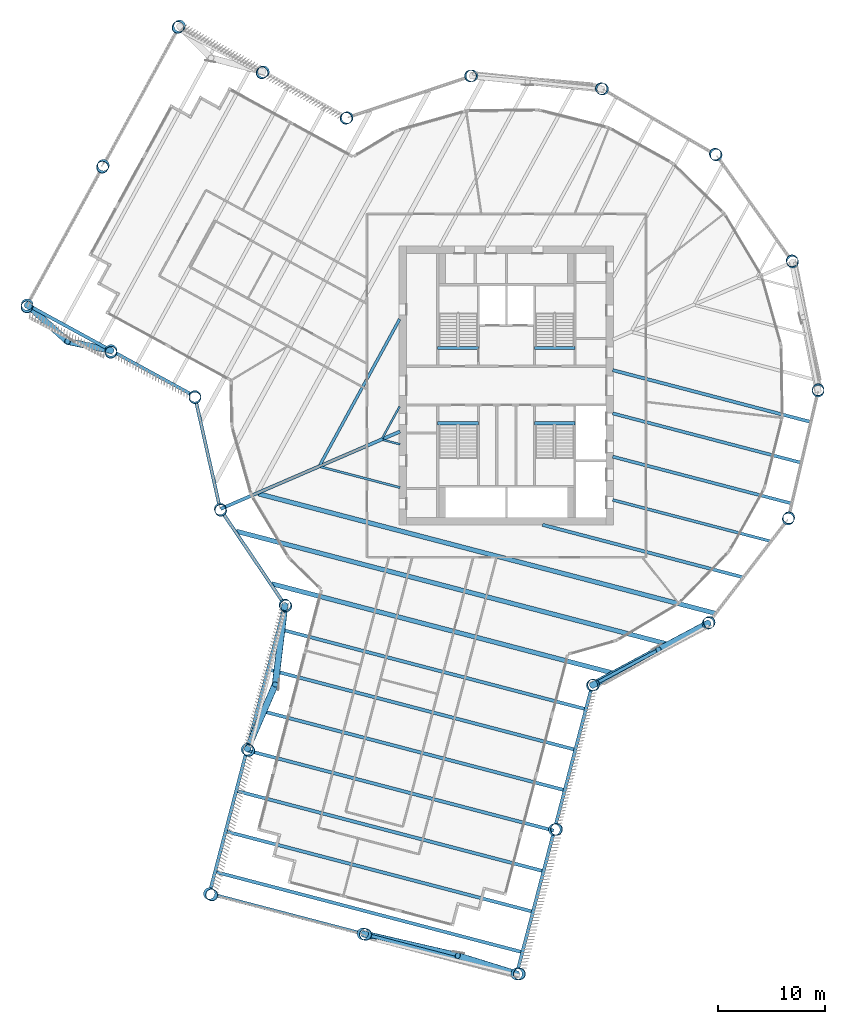
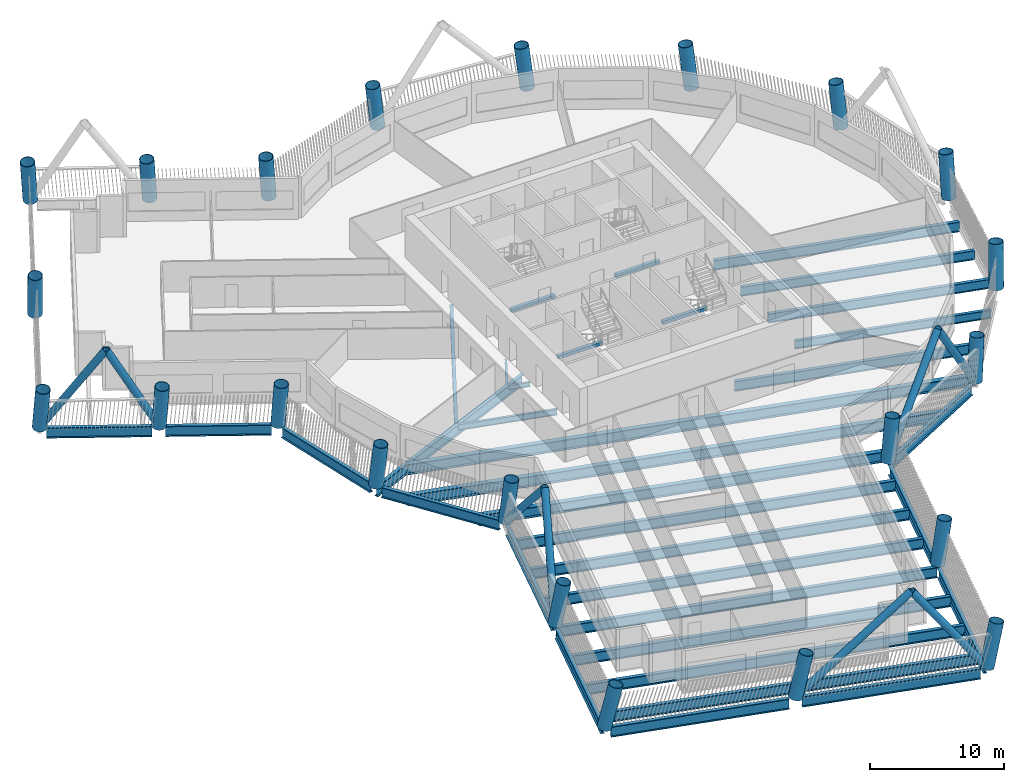
# One storey, part 1 of 24: 35 beams, 22 columns, 8 members.
"""IFC4 building model written with IfcOpenShell, lengths in metres."""

from ifc_helpers import new_model, si_unit, direction, frame, origin, origin_2d, place, context, subcontext, project, spatial, rectangle, hollow_circle, i_section, extrude, material, material_profile, profile_set, type_object, element, save


model = new_model("IFC4")

# Units and contexts
model_context = context("Model", 3, precision=1e-05, world=origin(), true_north=direction((0.0, 1.0)))
body_context = subcontext(model_context, "Body", "Model", "MODEL_VIEW")
ifc_project = project(units=[si_unit("LENGTHUNIT", "METRE"), si_unit("AREAUNIT", "SQUARE_METRE"), si_unit("VOLUMEUNIT", "CUBIC_METRE"), si_unit("PLANEANGLEUNIT", "RADIAN"), si_unit("MASSUNIT", "GRAM", prefix="KILO")], contexts=[model_context])

# Site, building, storey
site_placement = place(None, origin())
site = spatial("IfcSite", under=ifc_project, at=site_placement, CompositionType="ELEMENT")
building_placement = place(site_placement, origin())
building = spatial("IfcBuilding", under=site, at=building_placement, Name="Tarsis Ring Headquarters", CompositionType="ELEMENT")
storey_placement = place(building_placement, frame((0.0, 0.0, 163.199951171875)))
storey = spatial("IfcBuildingStorey", under=building, at=storey_placement, Name="L37", CompositionType="ELEMENT", Elevation=163.199951171875)

# Columns
ifc_material_1 = material(Name="Structural steel S355", Category="steel")
ifc_material_profile_1 = material_profile(ifc_material_1, hollow_circle(Radius=0.558837890625, WallThickness=0.044921875, at=origin_2d()), Name="CHS 1118x45")
ifc_profile_set_1 = profile_set([ifc_material_profile_1], Name="Structural steel S355")
column_type = type_object("IfcColumnType", Name="XC Exo column CHS 1118x45", PredefinedType="COLUMN", material=ifc_profile_set_1)
for number, where, z_axis, x_axis, name in (
    (1, (-26.67138671875, -11.5087890625, 0.0009765625), (0.046843356961, -0.106315135521, 0.993228469119), (0.915109628018, 0.403205119893, 0.0), "Exo column XC4 F1"),
    (2, (-20.64404296875, -20.436279296875, 0.0009765625), (0.082426503128, -0.081928833675, 0.993223810525), (0.704962423594, 0.709244655476, 0.0), "Exo column XC4 AK"),
):
    element("IfcColumn", number, at=place(storey_placement, frame(where, z_axis=z_axis, x_axis=x_axis)), inside=storey, type_object=column_type, Name=name, PredefinedType="COLUMN", context=body_context, shape_type="SweptSolid", body=[
        extrude(hollow_circle(Radius=0.558837890625, WallThickness=0.044921875, at=origin_2d()), origin(), (0.0, 0.0, 1.0), 3.924560546875),
    ])
column_1_placement = place(storey_placement, frame((-24.162353515625, -33.885986328125, 0.00146484375), z_axis=(0.135366336115, -0.094898535953, 0.986240448836), x_axis=(0.574039090599, 0.818827895509, 0.0)))
element("IfcColumn", 3, at=column_1_placement, inside=storey, type_object=column_type, Name="Exo column XC4 AI1", PredefinedType="COLUMN", context=body_context, shape_type="SweptSolid", body=[
    extrude(hollow_circle(Radius=0.558837890625, WallThickness=0.044921875, at=origin_2d()), origin(), (0.0, 0.0, 1.0), 3.95166015625),
])
column_2_placement = place(storey_placement, frame((-27.6806640625, -47.335693359375, 0.001708984375), z_axis=(0.187022752888, -0.107368312502, 0.976470447772), x_axis=(0.497879372542, 0.867246291659, 0.0)))
element("IfcColumn", 4, at=column_2_placement, inside=storey, type_object=column_type, Name="Exo column XC4 AT1", PredefinedType="COLUMN", context=body_context, shape_type="SweptSolid", body=[
    extrude(hollow_circle(Radius=0.558837890625, WallThickness=0.044921875, at=origin_2d()), origin(), (0.0, 0.0, 1.0), 3.99072265625),
])
column_3_placement = place(storey_placement, frame((-13.362548828125, -51.0810546875, 0.001708984375), z_axis=(0.201678129852, -0.051108951776, 0.978117481179), x_axis=(0.245653116394, 0.969357801024, 0.0)))
element("IfcColumn", 5, at=column_3_placement, inside=storey, type_object=column_type, Name="Exo column XC4 AT2", PredefinedType="COLUMN", context=body_context, shape_type="SweptSolid", body=[
    extrude(hollow_circle(Radius=0.558837890625, WallThickness=0.044921875, at=origin_2d()), origin(), (0.0, 0.0, 1.0), 3.98388671875),
])
column_4_placement = place(storey_placement, frame((0.955810546875, -54.82666015625, 0.001708984375), z_axis=(0.21559263093, 0.00544487632, 0.976468212903), x_axis=(-0.025247341068, 0.999681235079, 0.0)))
element("IfcColumn", 6, at=column_4_placement, inside=storey, type_object=column_type, Name="Exo column XC4 AT3", PredefinedType="COLUMN", context=body_context, shape_type="SweptSolid", body=[
    extrude(hollow_circle(Radius=0.558837890625, WallThickness=0.044921875, at=origin_2d()), origin(), (0.0, 0.0, 1.0), 3.99072265625),
])
column_5_placement = place(storey_placement, frame((4.47412109375, -41.376953125, 0.00146484375), z_axis=(0.164218934902, 0.019029131659, 0.986240352839), x_axis=(-0.115106386855, 0.993353169676, 0.0)))
element("IfcColumn", 7, at=column_5_placement, inside=storey, type_object=column_type, Name="Exo column XC4 AO1", PredefinedType="COLUMN", context=body_context, shape_type="SweptSolid", body=[
    extrude(hollow_circle(Radius=0.558837890625, WallThickness=0.044921875, at=origin_2d()), origin(), (0.0, 0.0, 1.0), 3.95166015625),
])
for number, where, z_axis, x_axis, name in (
    (8, (7.992431640625, -27.927490234375, 0.0009765625), (0.111477743675, 0.032908329467, 0.993221905979), (-0.283122390481, 0.959083787793, 0.0), "Exo column XC4 AJ"),
    (9, (18.793212890625, -22.150146484375, 0.0009765625), (0.088025612862, 0.07583266578, 0.99322751587), (-0.652685385351, 0.757629056827, 0.0), "Exo column XC4 R1"),
    (10, (26.25244140625, -12.4345703125, 0.0009765625), (0.048958337482, 0.105381732777, 0.993225941862), (-0.906906699403, 0.421331506747, 0.0), "Exo column XC4 R2"),
    (11, (29.044189453125, -0.508056640625, 0.0009765625), (0.001119757062, 0.116205899537, 0.993224513923), (-0.999953577232, 0.009635526975, 0.0), "Exo column XC4 R3"),
    (12, (26.67138671875, 11.5087890625, 0.0009765625), (-0.046843356961, 0.106315135521, 0.993228469119), (-0.915109628018, -0.403205119893, 0.0), "Exo column XC4 R4"),
    (13, (19.556396484375, 21.479248046875, 0.0009765625), (-0.08653231362, 0.077574259586, 0.99322424102), (-0.667514315932, -0.744596963481, 0.0), "Exo column XC4 R5"),
    (14, (8.96435546875, 27.630615234375, 0.0009765625), (-0.110793915769, 0.035023567983, 0.993226086002), (-0.30141319934, -0.953493619938, 0.0), "Exo column XC4 R6"),
    (15, (-3.2216796875, 28.869384765625, 0.0009765625), (-0.115397060838, -0.013810322106, 0.993223435765), (0.118828615173, -0.992914779936, 0.0), "Exo column XC4 R7"),
    (16, (-14.8349609375, 24.974853515625, 0.0009765625), (-0.099409746542, -0.060155960517, 0.993226541483), (0.517720184374, -0.855550004787, 0.0), "Exo column XC4 BJ"),
):
    element("IfcColumn", number, at=place(storey_placement, frame(where, z_axis=z_axis, x_axis=x_axis)), inside=storey, type_object=column_type, Name=name, PredefinedType="COLUMN", context=body_context, shape_type="SweptSolid", body=[
        extrude(hollow_circle(Radius=0.558837890625, WallThickness=0.044921875, at=origin_2d()), origin(), (0.0, 0.0, 1.0), 3.924560546875),
    ])
column_6_placement = place(storey_placement, frame((-22.646484375, 29.244384765625, 0.001220703125), z_axis=(-0.115790672077, -0.091133268392, 0.989084044787), x_axis=(0.618471236594, -0.78580743793, 0.0)))
element("IfcColumn", 17, at=column_6_placement, inside=storey, type_object=column_type, Name="Exo column XC4 BO1", PredefinedType="COLUMN", context=body_context, shape_type="SweptSolid", body=[
    extrude(hollow_circle(Radius=0.558837890625, WallThickness=0.044921875, at=origin_2d()), origin(), (0.0, 0.0, 1.0), 3.940673828125),
])
column_7_placement = place(storey_placement, frame((-30.458251953125, 33.513916015625, 0.00146484375), z_axis=(-0.131822902051, -0.121715863278, 0.983772316708), x_axis=(0.678379959091, -0.73471125696, 0.0)))
element("IfcColumn", 18, at=column_7_placement, inside=storey, type_object=column_type, Name="Exo column XC4 BT3", PredefinedType="COLUMN", context=body_context, shape_type="SweptSolid", body=[
    extrude(hollow_circle(Radius=0.558837890625, WallThickness=0.044921875, at=origin_2d()), origin(), (0.0, 0.0, 1.0), 3.96142578125),
])
column_8_placement = place(storey_placement, frame((-37.556396484375, 20.527099609375, 0.00146484375), z_axis=(-0.080254865762, -0.149706191903, 0.985468017049), x_axis=(0.881344859198, -0.472473532766, 0.0)))
element("IfcColumn", 19, at=column_8_placement, inside=storey, type_object=column_type, Name="Exo column XC4 BT2", PredefinedType="COLUMN", context=body_context, shape_type="SweptSolid", body=[
    extrude(hollow_circle(Radius=0.558837890625, WallThickness=0.044921875, at=origin_2d()), origin(), (0.0, 0.0, 1.0), 3.95458984375),
])
column_9_placement = place(storey_placement, frame((-44.654541015625, 7.540283203125, 0.00146484375), z_axis=(-0.028472409752, -0.177120574949, 0.983777222654), x_axis=(0.987324604077, -0.158713976021, 0.0)))
element("IfcColumn", 20, at=column_9_placement, inside=storey, type_object=column_type, Name="Exo column XC4 BT1", PredefinedType="COLUMN", context=body_context, shape_type="SweptSolid", body=[
    extrude(hollow_circle(Radius=0.558837890625, WallThickness=0.044921875, at=origin_2d()), origin(), (0.0, 0.0, 1.0), 3.96142578125),
])
column_10_placement = place(storey_placement, frame((-36.843017578125, 3.270751953125, 0.001220703125), z_axis=(-0.011833157867, -0.146830283486, 0.989090918079), x_axis=(0.99676830173, -0.080330272418, 0.0)))
element("IfcColumn", 21, at=column_10_placement, inside=storey, type_object=column_type, Name="Exo column XC4 BI1", PredefinedType="COLUMN", context=body_context, shape_type="SweptSolid", body=[
    extrude(hollow_circle(Radius=0.558837890625, WallThickness=0.044921875, at=origin_2d()), origin(), (0.0, 0.0, 1.0), 3.940673828125),
])
column_11_placement = place(storey_placement, frame((-29.03125, -0.998779296875, 0.0009765625), z_axis=(0.004914504076, -0.116081830463, 0.993227494729), x_axis=(0.999105011262, 0.042298658033, 0.0)))
element("IfcColumn", 22, at=column_11_placement, inside=storey, type_object=column_type, Name="Exo column XC4 BK", PredefinedType="COLUMN", context=body_context, shape_type="SweptSolid", body=[
    extrude(hollow_circle(Radius=0.558837890625, WallThickness=0.044921875, at=origin_2d()), origin(), (0.0, 0.0, 1.0), 3.924560546875),
])

# Beams
ifc_material_profile_2 = material_profile(ifc_material_1, i_section(OverallWidth=0.177734375, OverallDepth=0.406494140625, WebThickness=0.0078125, FlangeThickness=0.0126953125, at=origin_2d()), Name="W16x40")
ifc_profile_set_2 = profile_set([ifc_material_profile_2], Name="Structural steel S355")
beam_type_1 = type_object("IfcBeamType", Name="FB Floor beam W16x40", PredefinedType="JOIST", material=ifc_profile_set_2)
beam_1_placement = place(storey_placement, frame((-11.48583984375, -5.057861328125, -0.363037109375), z_axis=(0.967469701772, -0.252986909056, 0.0), x_axis=(0.252986909056, 0.967469701772, 0.0)))
element("IfcBeam", 23, at=beam_1_placement, inside=storey, type_object=beam_type_1, Name="Floor beam FB1", PredefinedType="JOIST", context=body_context, shape_type="SweptSolid", body=[
    extrude(i_section(OverallWidth=0.177734375, OverallDepth=0.406494140625, WebThickness=0.0078125, FlangeThickness=0.0126953125, at=origin_2d()), origin(), (0.0, 0.0, 1.0), 1.6357421875),
])
beam_2_placement = place(storey_placement, frame((-9.9521484375, -1.94482421875, -0.363037109375), z_axis=(-0.479602084347, -0.877486091451, 0.0), x_axis=(0.877486091451, -0.479602084347, 0.0)))
element("IfcBeam", 24, at=beam_2_placement, inside=storey, type_object=beam_type_1, Name="Floor beam FB1", PredefinedType="JOIST", context=body_context, shape_type="SweptSolid", body=[
    extrude(i_section(OverallWidth=0.177734375, OverallDepth=0.406494140625, WebThickness=0.0078125, FlangeThickness=0.0126953125, at=origin_2d()), origin(), (0.0, 0.0, 1.0), 3.35205078125),
])
ifc_material_profile_3 = material_profile(ifc_material_1, i_section(OverallWidth=0.209228515625, OverallDepth=0.533447265625, WebThickness=0.01025390625, FlangeThickness=0.015625, at=origin_2d()), Name="W21x62")
ifc_profile_set_3 = profile_set([ifc_material_profile_3], Name="Structural steel S355")
beam_type_2 = type_object("IfcBeamType", Name="FB Floor beam W21x62", PredefinedType="JOIST", material=ifc_profile_set_3)
beam_3_placement = place(storey_placement, frame((-17.302001953125, -7.5673828125, -0.4267578125), z_axis=(0.967442790182, -0.253089801701, 0.0), x_axis=(0.253089801701, 0.967442790182, 0.0)))
element("IfcBeam", 25, at=beam_3_placement, inside=storey, type_object=beam_type_2, Name="Floor beam FB3", PredefinedType="JOIST", context=body_context, shape_type="SweptSolid", body=[
    extrude(i_section(OverallWidth=0.209228515625, OverallDepth=0.533447265625, WebThickness=0.01025390625, FlangeThickness=0.015625, at=origin_2d()), origin(), (0.0, 0.0, 1.0), 7.647705078125),
])
ifc_material_profile_4 = material_profile(ifc_material_1, i_section(OverallWidth=0.2666015625, OverallDepth=0.7568359375, WebThickness=0.013916015625, FlangeThickness=0.019287109375, at=origin_2d()), Name="W30x108")
ifc_profile_set_4 = profile_set([ifc_material_profile_4], Name="Structural steel S355")
beam_type_3 = type_object("IfcBeamType", Name="FB Floor beam W30x108", PredefinedType="JOIST", material=ifc_profile_set_4)
beam_4_placement = place(storey_placement, frame((9.9033203125, -10.653076171875, -0.538330078125), z_axis=(0.967440972886, -0.253096748263, 0.0), x_axis=(0.253096748263, 0.967440972886, 0.0)))
element("IfcBeam", 26, at=beam_4_placement, inside=storey, type_object=beam_type_3, Name="Floor beam FB6", PredefinedType="JOIST", context=body_context, shape_type="SweptSolid", body=[
    extrude(i_section(OverallWidth=0.2666015625, OverallDepth=0.7568359375, WebThickness=0.013916015625, FlangeThickness=0.019287109375, at=origin_2d()), origin(), (0.0, 0.0, 1.0), 15.18212890625),
])
beam_5_placement = place(storey_placement, frame((-9.9521484375, 6.186767578125, -0.538330078125), z_axis=(-0.47961333041, -0.877479944667, 0.0), x_axis=(0.877479944667, -0.47961333041, 0.0)))
element("IfcBeam", 27, at=beam_5_placement, inside=storey, type_object=beam_type_3, Name="Floor beam FB6", PredefinedType="JOIST", context=body_context, shape_type="SweptSolid", body=[
    extrude(i_section(OverallWidth=0.2666015625, OverallDepth=0.7568359375, WebThickness=0.013916015625, FlangeThickness=0.019287109375, at=origin_2d()), origin(), (0.0, 0.0, 1.0), 15.479248046875),
])
ifc_material_profile_5 = material_profile(ifc_material_1, i_section(OverallWidth=0.2919921875, OverallDepth=0.835693359375, WebThickness=0.013916015625, FlangeThickness=0.018798828125, at=origin_2d()), Name="W33x118")
ifc_profile_set_5 = profile_set([ifc_material_profile_5], Name="Structural steel S355")
beam_type_4 = type_object("IfcBeamType", Name="FB Floor beam W33x118", PredefinedType="JOIST", material=ifc_profile_set_5)
beam_6_placement = place(storey_placement, frame((9.9033203125, -2.590576171875, -0.577880859375), z_axis=(0.967444859105, -0.253081893051, 0.0), x_axis=(0.253081893051, 0.967444859105, 0.0)))
element("IfcBeam", 28, at=beam_6_placement, inside=storey, type_object=beam_type_4, Name="Floor beam FB7", PredefinedType="JOIST", context=body_context, shape_type="SweptSolid", body=[
    extrude(i_section(OverallWidth=0.2919921875, OverallDepth=0.835693359375, WebThickness=0.013916015625, FlangeThickness=0.018798828125, at=origin_2d()), origin(), (0.0, 0.0, 1.0), 18.113525390625),
])
beam_7_placement = place(storey_placement, frame((9.9033203125, -6.621826171875, -0.577880859375), z_axis=(0.967442283468, -0.253091738623, 0.0), x_axis=(0.253091738623, 0.967442283468, 0.0)))
element("IfcBeam", 29, at=beam_7_placement, inside=storey, type_object=beam_type_4, Name="Floor beam FB7", PredefinedType="JOIST", context=body_context, shape_type="SweptSolid", body=[
    extrude(i_section(OverallWidth=0.2919921875, OverallDepth=0.835693359375, WebThickness=0.013916015625, FlangeThickness=0.018798828125, at=origin_2d()), origin(), (0.0, 0.0, 1.0), 17.194580078125),
])
ifc_material_profile_6 = material_profile(ifc_material_1, i_section(OverallWidth=0.3046875, OverallDepth=0.904296875, WebThickness=0.01513671875, FlangeThickness=0.02001953125, at=origin_2d()), Name="W36x135")
ifc_profile_set_6 = profile_set([ifc_material_profile_6], Name="Structural steel S355")
beam_type_5 = type_object("IfcBeamType", Name="FB Floor beam W36x135", PredefinedType="JOIST", material=ifc_profile_set_6)
beam_8_placement = place(storey_placement, frame((9.9033203125, 1.440673828125, -0.612060546875), z_axis=(0.967444045243, -0.253085004145, 0.0), x_axis=(0.253085004145, 0.967444045243, 0.0)))
element("IfcBeam", 30, at=beam_8_placement, inside=storey, type_object=beam_type_5, Name="Floor beam FB8", PredefinedType="JOIST", context=body_context, shape_type="SweptSolid", body=[
    extrude(i_section(OverallWidth=0.3046875, OverallDepth=0.904296875, WebThickness=0.01513671875, FlangeThickness=0.02001953125, at=origin_2d()), origin(), (0.0, 0.0, 1.0), 19.03271484375),
])
beam_9_placement = place(storey_placement, frame((3.36767578125, -12.974609375, -0.612060546875), z_axis=(0.96744270544, -0.253090125628, 0.0), x_axis=(0.253090125628, 0.96744270544, 0.0)))
element("IfcBeam", 31, at=beam_9_placement, inside=storey, type_object=beam_type_5, Name="Floor beam FB8", PredefinedType="JOIST", context=body_context, shape_type="SweptSolid", body=[
    extrude(i_section(OverallWidth=0.3046875, OverallDepth=0.904296875, WebThickness=0.01513671875, FlangeThickness=0.02001953125, at=origin_2d()), origin(), (0.0, 0.0, 1.0), 19.2734375),
])
ifc_material_profile_7 = material_profile(ifc_material_1, i_section(OverallWidth=0.309814453125, OverallDepth=0.949951171875, WebThickness=0.0244140625, FlangeThickness=0.0439453125, at=origin_2d()), Name="W36x256")
ifc_profile_set_7 = profile_set([ifc_material_profile_7], Name="Structural steel S355")
beam_type_6 = type_object("IfcBeamType", Name="FB Floor beam W36x256", PredefinedType="JOIST", material=ifc_profile_set_7)
beam_10_placement = place(storey_placement, frame((-21.174072265625, -22.679443359375, -0.635009765625), z_axis=(0.967443057533, -0.253088779742, 0.0), x_axis=(0.253088779742, 0.967443057533, 0.0)))
element("IfcBeam", 32, at=beam_10_placement, inside=storey, type_object=beam_type_6, Name="Floor beam FB11", PredefinedType="JOIST", context=body_context, shape_type="SweptSolid", body=[
    extrude(i_section(OverallWidth=0.309814453125, OverallDepth=0.949951171875, WebThickness=0.0244140625, FlangeThickness=0.0439453125, at=origin_2d()), origin(), (0.0, 0.0, 1.0), 29.490234375),
])
for number, where, z_axis, x_axis, name in (
    (33, (-22.1611328125, -26.45263671875, -0.635009765625), (0.967445084543, -0.253081031281, 0.0), (0.253081031281, 0.967445084543, 0.0), "Floor beam FB11"),
    (34, (-23.148193359375, -30.2255859375, -0.635009765625), (0.967445084543, -0.253081031281, 0.0), (0.253081031281, 0.967445084543, 0.0), "Floor beam FB11"),
):
    element("IfcBeam", number, at=place(storey_placement, frame(where, z_axis=z_axis, x_axis=x_axis)), inside=storey, type_object=beam_type_6, Name=name, PredefinedType="JOIST", context=body_context, shape_type="SweptSolid", body=[
        extrude(i_section(OverallWidth=0.309814453125, OverallDepth=0.949951171875, WebThickness=0.0244140625, FlangeThickness=0.0439453125, at=origin_2d()), origin(), (0.0, 0.0, 1.0), 29.489990234375),
    ])
beam_11_placement = place(storey_placement, frame((-24.13525390625, -33.99853515625, -0.635009765625), z_axis=(0.967443057533, -0.253088779742, 0.0), x_axis=(0.253088779742, 0.967443057533, 0.0)))
element("IfcBeam", 35, at=beam_11_placement, inside=storey, type_object=beam_type_6, Name="Floor beam FB11", PredefinedType="JOIST", context=body_context, shape_type="SweptSolid", body=[
    extrude(i_section(OverallWidth=0.309814453125, OverallDepth=0.949951171875, WebThickness=0.0244140625, FlangeThickness=0.0439453125, at=origin_2d()), origin(), (0.0, 0.0, 1.0), 29.490234375),
])
for number, where, z_axis, x_axis, name in (
    (36, (-25.122314453125, -37.771728515625, -0.635009765625), (0.967445084543, -0.253081031281, 0.0), (0.253081031281, 0.967445084543, 0.0), "Floor beam FB11"),
    (37, (-26.109375, -41.544677734375, -0.635009765625), (0.967445084543, -0.253081031281, 0.0), (0.253081031281, 0.967445084543, 0.0), "Floor beam FB11"),
):
    element("IfcBeam", number, at=place(storey_placement, frame(where, z_axis=z_axis, x_axis=x_axis)), inside=storey, type_object=beam_type_6, Name=name, PredefinedType="JOIST", context=body_context, shape_type="SweptSolid", body=[
        extrude(i_section(OverallWidth=0.309814453125, OverallDepth=0.949951171875, WebThickness=0.0244140625, FlangeThickness=0.0439453125, at=origin_2d()), origin(), (0.0, 0.0, 1.0), 29.489990234375),
    ])
beam_12_placement = place(storey_placement, frame((-27.09619140625, -45.317626953125, -0.635009765625), z_axis=(0.967443057533, -0.253088779742, 0.0), x_axis=(0.253088779742, 0.967443057533, 0.0)))
element("IfcBeam", 38, at=beam_12_placement, inside=storey, type_object=beam_type_6, Name="Floor beam FB11", PredefinedType="JOIST", context=body_context, shape_type="SweptSolid", body=[
    extrude(i_section(OverallWidth=0.309814453125, OverallDepth=0.949951171875, WebThickness=0.0244140625, FlangeThickness=0.0439453125, at=origin_2d()), origin(), (0.0, 0.0, 1.0), 29.490234375),
])
beam_type_7 = type_object("IfcBeamType", Name="FB Floor beam W36x256 spine", PredefinedType="BEAM", material=ifc_profile_set_7)
beam_13_placement = place(storey_placement, frame((-9.908203125, -4.275390625, -0.635009765625), z_axis=(-0.9181687328, -0.396189573446, 0.0), x_axis=(0.396189573446, -0.9181687328, 0.0)))
element("IfcBeam", 39, at=beam_13_placement, inside=storey, type_object=beam_type_7, Name="Floor beam SB11", PredefinedType="BEAM", context=body_context, shape_type="SweptSolid", body=[
    extrude(i_section(OverallWidth=0.309814453125, OverallDepth=0.949951171875, WebThickness=0.0244140625, FlangeThickness=0.0439453125, at=origin_2d()), origin(), (0.0, 0.0, 1.0), 18.199462890625),
])
ifc_material_profile_8 = material_profile(ifc_material_1, i_section(OverallWidth=0.42431640625, OverallDepth=0.947509765625, WebThickness=0.02392578125, FlangeThickness=0.042724609375, at=origin_2d()), Name="W36x302")
ifc_profile_set_8 = profile_set([ifc_material_profile_8], Name="Structural steel S355")
beam_type_8 = type_object("IfcBeamType", Name="FB Floor beam W36x302", PredefinedType="JOIST", material=ifc_profile_set_8)
beam_14_placement = place(storey_placement, frame((-23.118408203125, -10.0771484375, -0.633544921875), z_axis=(0.967444347237, -0.253083849741, 0.0), x_axis=(0.253083849741, 0.967444347237, 0.0)))
element("IfcBeam", 40, at=beam_14_placement, inside=storey, type_object=beam_type_8, Name="Floor beam FB12", PredefinedType="JOIST", context=body_context, shape_type="SweptSolid", body=[
    extrude(i_section(OverallWidth=0.42431640625, OverallDepth=0.947509765625, WebThickness=0.02392578125, FlangeThickness=0.042724609375, at=origin_2d()), origin(), (0.0, 0.0, 1.0), 43.98681640625),
])
beam_15_placement = place(storey_placement, frame((-25.171630859375, -13.5712890625, -0.633544921875), z_axis=(0.967444030355, -0.253085061057, 0.0), x_axis=(0.253085061057, 0.967444030355, 0.0)))
element("IfcBeam", 41, at=beam_15_placement, inside=storey, type_object=beam_type_8, Name="Floor beam FB12", PredefinedType="JOIST", context=body_context, shape_type="SweptSolid", body=[
    extrude(i_section(OverallWidth=0.42431640625, OverallDepth=0.947509765625, WebThickness=0.02392578125, FlangeThickness=0.042724609375, at=origin_2d()), origin(), (0.0, 0.0, 1.0), 41.523681640625),
])
beam_16_placement = place(storey_placement, frame((-21.8662109375, -18.46728515625, -0.633544921875), z_axis=(0.96744568076, -0.253078752127, 0.0), x_axis=(0.253078752127, 0.96744568076, 0.0)))
element("IfcBeam", 42, at=beam_16_placement, inside=storey, type_object=beam_type_8, Name="Floor beam FB12", PredefinedType="JOIST", context=body_context, shape_type="SweptSolid", body=[
    extrude(i_section(OverallWidth=0.42431640625, OverallDepth=0.947509765625, WebThickness=0.02392578125, FlangeThickness=0.042724609375, at=origin_2d()), origin(), (0.0, 0.0, 1.0), 32.87548828125),
])
ifc_material_2 = material(Name="Concrete C40/50", Category="concrete")
ifc_material_profile_9 = material_profile(ifc_material_2, rectangle(XDim=0.300048828125, YDim=0.300048828125, at=origin_2d()), Name="Stair head beam 300x300 C40/50")
ifc_profile_set_9 = profile_set([ifc_material_profile_9], Name="Concrete C40/50")
beam_type_9 = type_object("IfcBeamType", Name="Stair head beam 300x300 C40/50", PredefinedType="BEAM", material=ifc_profile_set_9)
for number, where, z_axis, x_axis, name in (
    (43, (-6.39990234375, 3.510009765625, -0.31005859375), (1.0, 0.0, 0.0), (0.0, 1.0, 0.0), "Stair head beam L37 Firefighting stair"),
    (44, (2.60009765625, 3.510009765625, -0.31005859375), (1.0, 0.0, 0.0), (0.0, 1.0, 0.0), "Stair head beam L37 Exit stair B"),
    (45, (-6.39990234375, -3.510009765625, -0.31005859375), (1.0, 0.0, 0.0), (0.0, 1.0, 0.0), "Stair head beam L37 Exit stair C"),
    (46, (2.60009765625, -3.510009765625, -0.31005859375), (1.0, 0.0, 0.0), (0.0, 1.0, 0.0), "Stair head beam L37 Exit stair D"),
):
    element("IfcBeam", number, at=place(storey_placement, frame(where, z_axis=z_axis, x_axis=x_axis)), inside=storey, type_object=beam_type_9, Name=name, PredefinedType="BEAM", context=body_context, shape_type="SweptSolid", body=[
        extrude(rectangle(XDim=0.300048828125, YDim=0.300048828125, at=origin_2d()), origin(), (0.0, 0.0, 1.0), 3.7998046875),
    ])

# Members
ifc_material_profile_10 = material_profile(ifc_material_1, hollow_circle(Radius=0.3046875, WallThickness=0.02490234375, at=origin_2d()), Name="CHS 610x25")
ifc_profile_set_10 = profile_set([ifc_material_profile_10], Name="Structural steel S355")
member_type = type_object("IfcMemberType", Name="XD X brace CHS 610x25", PredefinedType="BRACE", material=ifc_profile_set_10)
member_1_placement = place(storey_placement, frame((-20.64404296875, -20.436279296875, 0.0), z_axis=(-0.082877640944, -0.686622943468, 0.722274345478), x_axis=(0.99279400391, -0.119833491977, 0.0)))
element("IfcMember", 47, at=member_1_placement, inside=storey, type_object=member_type, Name="X brace XD1", PredefinedType="BRACE", context=body_context, shape_type="SweptSolid", body=[
    extrude(hollow_circle(Radius=0.3046875, WallThickness=0.02490234375, at=origin_2d()), origin(), (0.0, 0.0, 1.0), 10.79931640625),
])
member_2_placement = place(storey_placement, frame((-24.16259765625, -33.8857421875, 0.0), z_axis=(0.257088313786, 0.591331830621, 0.764350878202), x_axis=(-0.9170771346, 0.398709830821, 0.0)))
element("IfcMember", 48, at=member_2_placement, inside=storey, type_object=member_type, Name="X brace XD1", PredefinedType="BRACE", context=body_context, shape_type="SweptSolid", body=[
    extrude(hollow_circle(Radius=0.3046875, WallThickness=0.02490234375, at=origin_2d()), origin(), (0.0, 0.0, 1.0), 10.204833984375),
])
member_3_placement = place(storey_placement, frame((-13.36279296875, -51.0810546875, 0.0), z_axis=(0.738286563172, -0.170780719833, 0.652508158089), x_axis=(0.225369285133, 0.974273414047, 0.0)))
element("IfcMember", 49, at=member_3_placement, inside=storey, type_object=member_type, Name="X brace XD1", PredefinedType="BRACE", context=body_context, shape_type="SweptSolid", body=[
    extrude(hollow_circle(Radius=0.3046875, WallThickness=0.02490234375, at=origin_2d()), origin(), (0.0, 0.0, 1.0), 11.953857421875),
])
member_4_placement = place(storey_placement, frame((0.955322265625, -54.82666015625, 0.0), z_axis=(-0.566784946552, 0.175844916301, 0.804880978638), x_axis=(-0.296316427345, -0.955089825559, 0.0)))
element("IfcMember", 50, at=member_4_placement, inside=storey, type_object=member_type, Name="X brace XD1", PredefinedType="BRACE", context=body_context, shape_type="SweptSolid", body=[
    extrude(hollow_circle(Radius=0.3046875, WallThickness=0.02490234375, at=origin_2d()), origin(), (0.0, 0.0, 1.0), 9.69091796875),
])
member_5_placement = place(storey_placement, frame((7.9921875, -27.927490234375, 0.0), z_axis=(0.589085667423, 0.316614639184, 0.743460319514), x_axis=(-0.473421179178, 0.880836186306, 0.0)))
element("IfcMember", 51, at=member_5_placement, inside=storey, type_object=member_type, Name="X brace XD1", PredefinedType="BRACE", context=body_context, shape_type="SweptSolid", body=[
    extrude(hollow_circle(Radius=0.3046875, WallThickness=0.02490234375, at=origin_2d()), origin(), (0.0, 0.0, 1.0), 10.491455078125),
])
member_6_placement = place(storey_placement, frame((18.793212890625, -22.150390625, 0.0), z_axis=(-0.491945425404, -0.261412614567, 0.83045357689), x_axis=(0.469248470057, -0.88306617722, 0.0)))
element("IfcMember", 52, at=member_6_placement, inside=storey, type_object=member_type, Name="X brace XD1", PredefinedType="BRACE", context=body_context, shape_type="SweptSolid", body=[
    extrude(hollow_circle(Radius=0.3046875, WallThickness=0.02490234375, at=origin_2d()), origin(), (0.0, 0.0, 1.0), 9.392578125),
])
member_7_placement = place(storey_placement, frame((-44.654541015625, 7.54052734375, 0.0), z_axis=(0.403563583279, -0.367154987011, 0.838053488605), x_axis=(0.672952731553, 0.739685487958, 0.0)))
element("IfcMember", 53, at=member_7_placement, inside=storey, type_object=member_type, Name="X brace XD1", PredefinedType="BRACE", context=body_context, shape_type="SweptSolid", body=[
    extrude(hollow_circle(Radius=0.3046875, WallThickness=0.02490234375, at=origin_2d()), origin(), (0.0, 0.0, 1.0), 9.307373046875),
])
member_8_placement = place(storey_placement, frame((-36.8427734375, 3.27099609375, 0.0), z_axis=(-0.459167673941, 0.096493760518, 0.883093427327), x_axis=(-0.205657159845, -0.97862410179, 0.0)))
element("IfcMember", 54, at=member_8_placement, inside=storey, type_object=member_type, Name="X brace XD1", PredefinedType="BRACE", context=body_context, shape_type="SweptSolid", body=[
    extrude(hollow_circle(Radius=0.3046875, WallThickness=0.02490234375, at=origin_2d()), origin(), (0.0, 0.0, 1.0), 8.832763671875),
])

# Beams
beam_type_10 = type_object("IfcBeamType", Name="XG Ring girder W36x256", PredefinedType="BEAM", material=ifc_profile_set_7)
beam_17_placement = place(storey_placement, frame((-26.39013671875, -11.925537109375, -0.474853515625), z_axis=(0.559565593607, -0.828786067964, 0.0), x_axis=(0.828786067964, 0.559565593607, 0.0)))
element("IfcBeam", 55, at=beam_17_placement, inside=storey, type_object=beam_type_10, Name="Ring girder XG2", PredefinedType="BEAM", context=body_context, shape_type="SweptSolid", body=[
    extrude(i_section(OverallWidth=0.309814453125, OverallDepth=0.949951171875, WebThickness=0.0244140625, FlangeThickness=0.0439453125, at=origin_2d()), origin(), (0.0, 0.0, 1.0), 9.765869140625),
])
for number, where, z_axis, x_axis, name in (
    (56, (-20.771484375, -20.922607421875, -0.474853515625), (-0.253069179244, -0.967448184926, 0.0), (0.967448184926, -0.253069179244, 0.0), "Ring girder XG2"),
    (57, (-24.289794921875, -34.372314453125, -0.474853515625), (-0.25308689767, -0.967443549892, 0.0), (0.967443549892, -0.25308689767, 0.0), "Ring girder XG2"),
):
    element("IfcBeam", number, at=place(storey_placement, frame(where, z_axis=z_axis, x_axis=x_axis)), inside=storey, type_object=beam_type_10, Name=name, PredefinedType="BEAM", context=body_context, shape_type="SweptSolid", body=[
        extrude(i_section(OverallWidth=0.309814453125, OverallDepth=0.949951171875, WebThickness=0.0244140625, FlangeThickness=0.0439453125, at=origin_2d()), origin(), (0.0, 0.0, 1.0), 12.896484375),
    ])
beam_18_placement = place(storey_placement, frame((-27.1943359375, -47.462646484375, -0.474853515625), z_axis=(0.967441490023, -0.253094771543, 0.0), x_axis=(0.253094771543, 0.967441490023, 0.0)))
element("IfcBeam", 58, at=beam_18_placement, inside=storey, type_object=beam_type_10, Name="Ring girder XG2", PredefinedType="BEAM", context=body_context, shape_type="SweptSolid", body=[
    extrude(i_section(OverallWidth=0.309814453125, OverallDepth=0.949951171875, WebThickness=0.0244140625, FlangeThickness=0.0439453125, at=origin_2d()), origin(), (0.0, 0.0, 1.0), 13.794189453125),
])
beam_19_placement = place(storey_placement, frame((-12.876220703125, -51.208251953125, -0.474853515625), z_axis=(0.967442623734, -0.253090437953, 0.0), x_axis=(0.253090437953, 0.967442623734, 0.0)))
element("IfcBeam", 59, at=beam_19_placement, inside=storey, type_object=beam_type_10, Name="Ring girder XG2", PredefinedType="BEAM", context=body_context, shape_type="SweptSolid", body=[
    extrude(i_section(OverallWidth=0.309814453125, OverallDepth=0.949951171875, WebThickness=0.0244140625, FlangeThickness=0.0439453125, at=origin_2d()), origin(), (0.0, 0.0, 1.0), 13.79443359375),
])
for number, where, z_axis, x_axis, name in (
    (60, (1.082763671875, -54.340087890625, -0.474853515625), (0.253069179244, 0.967448184926, 0.0), (-0.967448184926, 0.253069179244, 0.0), "Ring girder XG2"),
    (61, (4.60107421875, -40.890625, -0.474853515625), (0.25308689767, 0.967443549892, 0.0), (-0.967443549892, 0.25308689767, 0.0), "Ring girder XG2"),
):
    element("IfcBeam", number, at=place(storey_placement, frame(where, z_axis=z_axis, x_axis=x_axis)), inside=storey, type_object=beam_type_10, Name=name, PredefinedType="BEAM", context=body_context, shape_type="SweptSolid", body=[
        extrude(i_section(OverallWidth=0.309814453125, OverallDepth=0.949951171875, WebThickness=0.0244140625, FlangeThickness=0.0439453125, at=origin_2d()), origin(), (0.0, 0.0, 1.0), 12.896484375),
    ])
beam_20_placement = place(storey_placement, frame((8.435791015625, -27.690185546875, -0.474853515625), z_axis=(0.881784851963, 0.471651857676, 0.0), x_axis=(-0.471651857676, 0.881784851963, 0.0)))
element("IfcBeam", 62, at=beam_20_placement, inside=storey, type_object=beam_type_10, Name="Ring girder XG2", PredefinedType="BEAM", context=body_context, shape_type="SweptSolid", body=[
    extrude(i_section(OverallWidth=0.309814453125, OverallDepth=0.949951171875, WebThickness=0.0244140625, FlangeThickness=0.0439453125, at=origin_2d()), origin(), (0.0, 0.0, 1.0), 11.242919921875),
])
for number, where, z_axis, x_axis, name in (
    (63, (-44.213134765625, 7.29931640625, -0.474853515625), (0.877486425167, -0.479601473775, 0.0), (0.479601473775, 0.877486425167, 0.0), "Ring girder XG2"),
    (64, (-36.401611328125, 3.02978515625, -0.474853515625), (0.877486425167, -0.479601473775, 0.0), (0.479601473775, 0.877486425167, 0.0), "Ring girder XG2"),
):
    element("IfcBeam", number, at=place(storey_placement, frame(where, z_axis=z_axis, x_axis=x_axis)), inside=storey, type_object=beam_type_10, Name=name, PredefinedType="BEAM", context=body_context, shape_type="SweptSolid", body=[
        extrude(i_section(OverallWidth=0.309814453125, OverallDepth=0.949951171875, WebThickness=0.0244140625, FlangeThickness=0.0439453125, at=origin_2d()), origin(), (0.0, 0.0, 1.0), 7.896484375),
    ])
beam_21_placement = place(storey_placement, frame((-28.921142578125, -1.4892578125, -0.474853515625), z_axis=(0.219071370976, -0.975708836907, 0.0), x_axis=(0.975708836907, 0.219071370976, 0.0)))
element("IfcBeam", 65, at=beam_21_placement, inside=storey, type_object=beam_type_10, Name="Ring girder XG2", PredefinedType="BEAM", context=body_context, shape_type="SweptSolid", body=[
    extrude(i_section(OverallWidth=0.309814453125, OverallDepth=0.949951171875, WebThickness=0.0244140625, FlangeThickness=0.0439453125, at=origin_2d()), origin(), (0.0, 0.0, 1.0), 9.765869140625),
])

save(model, "model.ifc")
